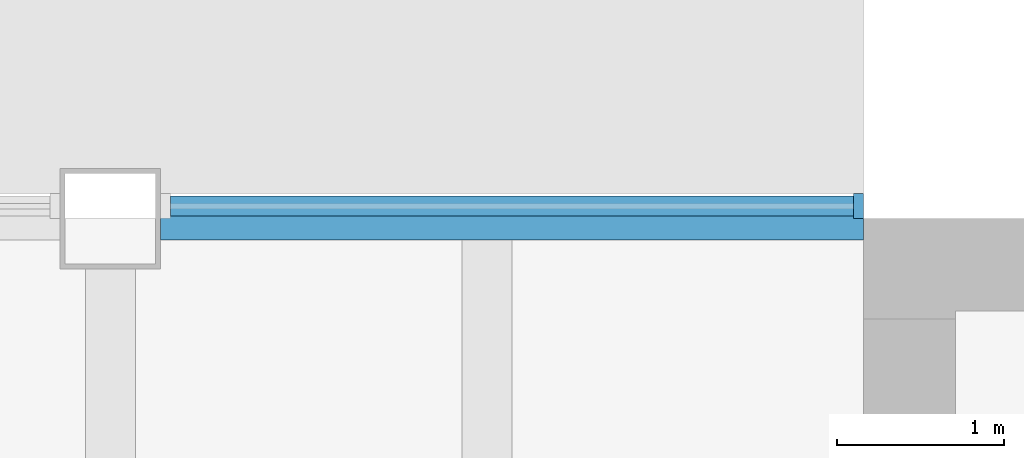
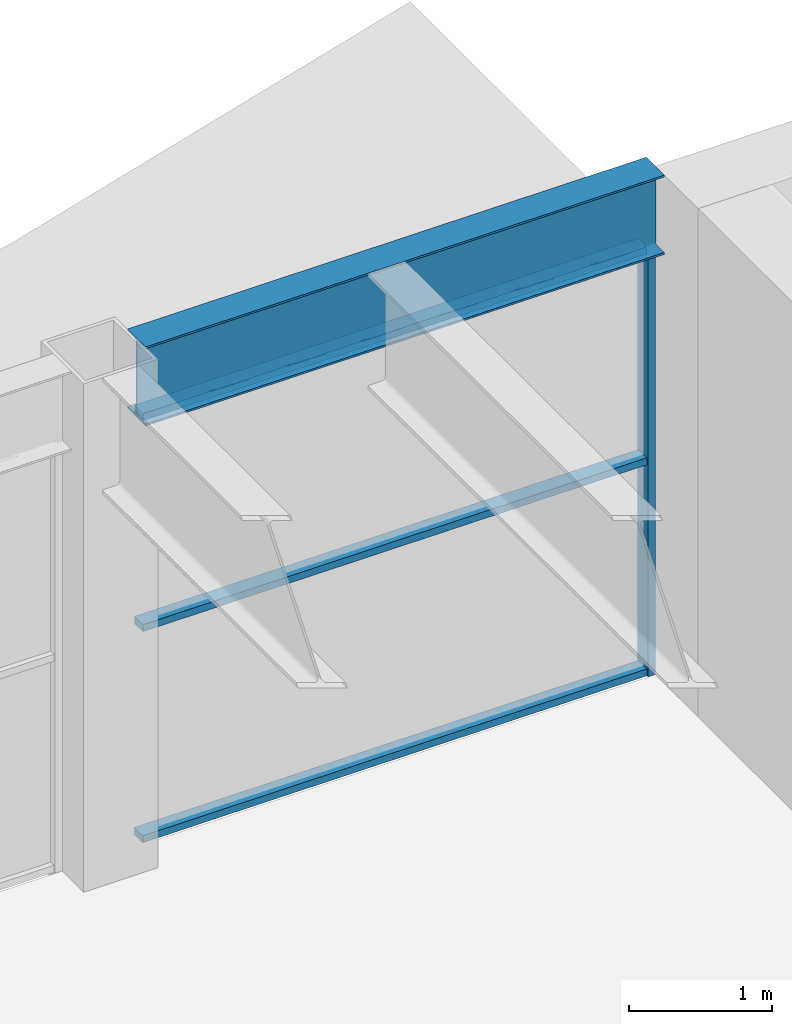
# One storey, part 6 of 14: 4 members, 1 beam, 1 element without a shape of its own.
"""IFC4 building model written with IfcOpenShell, lengths in metres."""

import ifcopenshell
import ifcopenshell.guid

model = None  # the IFC model being written
_history = None  # IfcOwnerHistory: only IFC2X3 demands one
_inside = {}  # id of a spatial element -> (the spatial element, [elements in it])
_under = {}  # id of a project, library or spatial element -> (it, [spatial elements below it])
_declared = {}  # id of a project -> (the project, [libraries it declares])
_typed = {}  # id of a type object -> (the type object, [elements of that type])
_made_of = {}  # id of a material, layer set ... -> (it, [elements and type objects made of it])


def new_model(schema):
    """Start an empty IFC model of exactly this schema.

    Asked for "IFC4X3", IfcOpenShell would pick the latest addendum, in which some entities
    have other attributes; the version numbers below select the first issue.
    IFC2X3 requires an IfcOwnerHistory on every rooted entity: one is made here for all.
    """
    global model, _history
    if schema == "IFC4X3":
        model = ifcopenshell.file(schema_version=(4, 3, 0, 0))
    else:
        model = ifcopenshell.file(schema=schema)
    _inside.clear()
    _under.clear()
    _declared.clear()
    _typed.clear()
    _made_of.clear()
    _history = None
    if model.schema == "IFC2X3":
        org = make("IfcOrganization", Name="unknown")
        user = make(
            "IfcPersonAndOrganization",
            ThePerson=make("IfcPerson", FamilyName="unknown"),
            TheOrganization=org,
        )
        app = make(
            "IfcApplication",
            ApplicationDeveloper=org,
            Version="unknown",
            ApplicationFullName="unknown",
            ApplicationIdentifier="unknown",
        )
        _history = make(
            "IfcOwnerHistory",
            OwningUser=user,
            OwningApplication=app,
            ChangeAction="ADDED",
            CreationDate=0,
        )
    return model


def make(cls, **values):
    """One entity of the class cls with the attributes given. An attribute that is None is left unset."""
    return model.create_entity(
        cls, **{name: value for name, value in values.items() if value is not None}
    )


def rooted(cls, **values):
    """An entity with a GlobalId (a new one), such as an element, a storey or a relation."""
    return make(cls, GlobalId=ifcopenshell.guid.new(), OwnerHistory=_history, **values)


def si_unit(unit_type, name, prefix=None):
    """IfcSIUnit, for example si_unit("LENGTHUNIT", "METRE", prefix="MILLI")."""
    return make("IfcSIUnit", UnitType=unit_type, Prefix=prefix, Name=name)


def assignment(units):
    """IfcUnitAssignment: the units of a project."""
    return None if units is None else make("IfcUnitAssignment", Units=units)


def point(xyz):
    """IfcCartesianPoint."""
    return None if xyz is None else make("IfcCartesianPoint", Coordinates=xyz)


def direction(xyz):
    """IfcDirection."""
    return None if xyz is None else make("IfcDirection", DirectionRatios=xyz)


def frame(location, z_axis=None, x_axis=None):
    """IfcAxis2Placement3D, a coordinate frame: its origin and axes. An axis left out is left unset."""
    return make(
        "IfcAxis2Placement3D",
        Location=point(location),
        Axis=direction(z_axis),
        RefDirection=direction(x_axis),
    )


def frame_2d(location, x_axis=None):
    """IfcAxis2Placement2D, a coordinate frame in the plane: its origin and x axis."""
    return make(
        "IfcAxis2Placement2D", Location=point(location), RefDirection=direction(x_axis)
    )


def origin():
    """The frame at (0, 0, 0) with its axes left unset."""
    return frame((0.0, 0.0, 0.0))


def origin_2d():
    """The frame at (0, 0) in the plane with its x axis left unset."""
    return frame_2d((0.0, 0.0))


def place(relative_to, where):
    """IfcLocalPlacement: puts the frame where relative to a parent placement (None: the world)."""
    return make(
        "IfcLocalPlacement", PlacementRelTo=relative_to, RelativePlacement=where
    )


def context(
    kind, dimensions, precision=None, world=None, true_north=None, identifier=None
):
    """IfcGeometricRepresentationContext, for example the 3D "Model" context."""
    return make(
        "IfcGeometricRepresentationContext",
        ContextIdentifier=identifier,
        ContextType=kind,
        CoordinateSpaceDimension=dimensions,
        Precision=precision,
        WorldCoordinateSystem=world,
        TrueNorth=true_north,
    )


def subcontext(parent, identifier, kind, view, scale=None):
    """IfcGeometricRepresentationSubContext, for example "Body" below "Model"."""
    return make(
        "IfcGeometricRepresentationSubContext",
        ContextIdentifier=identifier,
        ContextType=kind,
        ParentContext=parent,
        TargetScale=scale,
        TargetView=view,
    )


def project(units=None, contexts=None):
    """IfcProject with its units and contexts."""
    return rooted(
        "IfcProject",
        Name="project",
        RepresentationContexts=contexts,
        UnitsInContext=assignment(units),
    )


def spatial(cls, under=None, at=None, **own):
    """A site, building, storey or space (cls), placed at a placement, below another one or the project."""
    s = rooted(cls, ObjectPlacement=at, **own)
    if under is not None:
        _under.setdefault(under.id(), (under, []))[1].append(s)
    return s


def profile(cls, at=None, kind="AREA", **sizes):
    """A parametric profile (cls). Its sizes go by their IFC names, for example OverallWidth=200.0."""
    return make(cls, ProfileType=kind, Position=at, **sizes)


def rectangle(**sizes):
    """IfcRectangleProfileDef."""
    return profile("IfcRectangleProfileDef", **sizes)


def i_section(**sizes):
    """IfcIShapeProfileDef."""
    return profile("IfcIShapeProfileDef", **sizes)


def extrude(swept, where, along, depth):
    """IfcExtrudedAreaSolid: the profile swept, set in the frame where, extruded along a direction by depth."""
    return make(
        "IfcExtrudedAreaSolid",
        SweptArea=swept,
        Position=where,
        ExtrudedDirection=direction(along),
        Depth=depth,
    )


def shape(context_of_items, identifier, shape_type, items):
    """IfcShapeRepresentation: the items that make up one representation, for example the "Body"."""
    return make(
        "IfcShapeRepresentation",
        ContextOfItems=context_of_items,
        RepresentationIdentifier=identifier,
        RepresentationType=shape_type,
        Items=items,
    )


def material(Name=None, Category=None):
    """IfcMaterial."""
    return make("IfcMaterial", Name=Name, Category=Category)


def material_profile(
    of_material, cross_section, Name=None, Category=None, Priority=None
):
    """IfcMaterialProfile: a cross section and its material."""
    return make(
        "IfcMaterialProfile",
        Name=Name,
        Material=of_material,
        Profile=cross_section,
        Priority=Priority,
        Category=Category,
    )


def profile_set(profiles, Name=None, composite=None):
    """IfcMaterialProfileSet."""
    return make(
        "IfcMaterialProfileSet",
        Name=Name,
        MaterialProfiles=profiles,
        CompositeProfile=composite,
    )


def made_of(thing, what):
    """Note that an element or type object is made of a material, layer set ...; save() writes the relation."""
    if what is not None:
        _made_of.setdefault(what.id(), (what, []))[1].append(thing)
    return thing


def type_object(cls, material=None, **own):
    """A type object (cls), such as IfcWallType, which elements share."""
    return made_of(rooted(cls, **own), material)


def element(
    cls,
    number,
    at=None,
    inside=None,
    cuts=None,
    type_object=None,
    material=None,
    context=None,
    identifier="Body",
    shape_type=None,
    held_by="IfcProductDefinitionShape",
    body=None,
    shapes=None,
    **own,
):
    """One element of the class cls, such as IfcWall. Its Tag is "e" and its number.

    at: its placement. inside: the storey or other place that contains it. cuts: it is an
    opening in that element (IfcRelVoidsElement). A single representation is given by context,
    identifier, shape_type and body (its items); several are given by shapes. held_by: the class
    of the entity that holds the representations. save() writes the other relations.
    """
    e = rooted(cls, Tag="e%d" % number, ObjectPlacement=at, **own)
    if body is not None:
        shapes = [shape(context, identifier, shape_type, body)]
    if shapes is not None:
        e.Representation = make(held_by, Representations=shapes)
    if inside is not None:
        _inside.setdefault(inside.id(), (inside, []))[1].append(e)
    if cuts is not None:
        rooted(
            "IfcRelVoidsElement", RelatingBuildingElement=cuts, RelatedOpeningElement=e
        )
    if type_object is not None:
        _typed.setdefault(type_object.id(), (type_object, []))[1].append(e)
    return made_of(e, material)


def aggregate(whole, parts):
    """IfcRelAggregates: a whole, such as a stair, and the parts it consists of."""
    return rooted("IfcRelAggregates", RelatingObject=whole, RelatedObjects=parts)


def save(model, path):
    """Write the relations noted so far, then the file.

    IfcRelAggregates (storeys below a building ...), IfcRelContainedInSpatialStructure (elements
    in a storey), IfcRelDefinesByType, IfcRelAssociatesMaterial and IfcRelDeclares: one each for
    every whole, place, type object, material and project.
    """
    for whole, parts in _under.values():
        aggregate(whole, parts)
    for where, things in _inside.values():
        rooted(
            "IfcRelContainedInSpatialStructure",
            RelatedElements=things,
            RelatingStructure=where,
        )
    for kind, things in _typed.values():
        rooted("IfcRelDefinesByType", RelatedObjects=things, RelatingType=kind)
    for what, things in _made_of.values():
        rooted("IfcRelAssociatesMaterial", RelatedObjects=things, RelatingMaterial=what)
    for by, libraries in _declared.values():
        rooted("IfcRelDeclares", RelatingContext=by, RelatedDefinitions=libraries)
    model.write(path)


model = new_model("IFC4")

# Units and contexts
model_context = context("Model", 3, precision=1e-05, world=origin(), true_north=direction((0.0, 1.0)))
body_context = subcontext(model_context, "Body", "Model", "MODEL_VIEW")
ifc_project = project(units=[si_unit("LENGTHUNIT", "METRE"), si_unit("AREAUNIT", "SQUARE_METRE"), si_unit("VOLUMEUNIT", "CUBIC_METRE"), si_unit("PLANEANGLEUNIT", "RADIAN"), si_unit("MASSUNIT", "GRAM", prefix="KILO")], contexts=[model_context])

# Site, building, storey
site_placement = place(None, origin())
site = spatial("IfcSite", under=ifc_project, at=site_placement, CompositionType="ELEMENT")
building_placement = place(site_placement, origin())
building = spatial("IfcBuilding", under=site, at=building_placement, Name="Sennacour Bend Tower", CompositionType="ELEMENT")
storey_placement = place(building_placement, frame((0.0, 0.0, 314.0)))
storey = spatial("IfcBuildingStorey", under=building, at=storey_placement, Name="L72", CompositionType="ELEMENT", Elevation=314.0)

# Curtain wall, members
ifc_material_1 = material(Name="Bronze anodised aluminium curtain wall with clear glass", Category="aluminium")
curtain_wall_type = type_object("IfcCurtainWallType", Name="CURTAIN WALL EXEC", PredefinedType="NOTDEFINED", material=ifc_material_1)
curtain_wall_placement = place(storey_placement, origin())
curtain_wall = element("IfcCurtainWall", 1, at=curtain_wall_placement, inside=storey, type_object=curtain_wall_type, Name="Executive floor glass wall L72", PredefinedType="NOTDEFINED")
ifc_material_2 = material(Name="Aluminium 6063-T6", Category="aluminium")
ifc_material_profile_1 = material_profile(ifc_material_2, rectangle(XDim=0.14990234375, YDim=0.06005859375, at=origin_2d()), Name="Aluminium 6063-T6", Category="aluminium")
ifc_profile_set_1 = profile_set([ifc_material_profile_1], Name="Aluminium 6063-T6")
member_type_1 = type_object("IfcMemberType", Name="CW-MULLION-150X60", PredefinedType="MULLION", material=ifc_profile_set_1)
member_1_placement = place(storey_placement, frame((53.969970703125, 22.574951171875, 0.0), z_axis=(0.0, 0.0, 1.0), x_axis=(0.0, -1.0, 0.0)))
member_1 = element("IfcMember", 2, at=member_1_placement, type_object=member_type_1, Name="GW3 curtain wall mullion 1", PredefinedType="MULLION", context=body_context, shape_type="SweptSolid", body=[
    extrude(rectangle(XDim=0.14990234375, YDim=0.06005859375, at=origin_2d()), origin(), (0.0, 0.0, 1.0), 3.672119140625),
])
ifc_material_profile_2 = material_profile(ifc_material_2, rectangle(XDim=0.1201171875, YDim=0.06005859375, at=origin_2d()), Name="Aluminium 6063-T6", Category="aluminium")
ifc_profile_set_2 = profile_set([ifc_material_profile_2], Name="Aluminium 6063-T6")
member_type_2 = type_object("IfcMemberType", Name="CW-TRANSOM-120X60", PredefinedType="USERDEFINED", material=ifc_profile_set_2)
member_2_placement = place(storey_placement, frame((53.93994140625, 22.574951171875, 0.030029296875), z_axis=(-1.0, 0.0, 0.0), x_axis=(0.0, -1.0, 0.0)))
member_2 = element("IfcMember", 3, at=member_2_placement, type_object=member_type_2, Name="GW3 curtain wall transom 1.1", ObjectType="TRANSOM", PredefinedType="USERDEFINED", context=body_context, shape_type="SweptSolid", body=[
    extrude(rectangle(XDim=0.1201171875, YDim=0.06005859375, at=origin_2d()), origin(), (0.0, 0.0, 1.0), 4.079833984375),
])
member_3_placement = place(storey_placement, frame((53.93994140625, 22.574951171875, 1.8359375), z_axis=(-1.0, 0.0, 0.0), x_axis=(0.0, -1.0, 0.0)))
member_3 = element("IfcMember", 4, at=member_3_placement, type_object=member_type_2, Name="GW3 curtain wall transom 1.2", ObjectType="TRANSOM", PredefinedType="USERDEFINED", context=body_context, shape_type="SweptSolid", body=[
    extrude(rectangle(XDim=0.1201171875, YDim=0.06005859375, at=origin_2d()), origin(), (0.0, 0.0, 1.0), 4.079833984375),
])
member_4_placement = place(storey_placement, frame((53.93994140625, 22.574951171875, 3.64208984375), z_axis=(-1.0, 0.0, 0.0), x_axis=(0.0, -1.0, 0.0)))
member_4 = element("IfcMember", 5, at=member_4_placement, type_object=member_type_2, Name="GW3 curtain wall transom 1.3", ObjectType="TRANSOM", PredefinedType="USERDEFINED", context=body_context, shape_type="SweptSolid", body=[
    extrude(rectangle(XDim=0.1201171875, YDim=0.06005859375, at=origin_2d()), origin(), (0.0, 0.0, 1.0), 4.079833984375),
])
aggregate(curtain_wall, [member_1, member_2, member_3, member_4])

# Beam
ifc_material_3 = material(Name="Steel ASTM A992 Grade 50", Category="steel")
ifc_material_profile_3 = material_profile(ifc_material_3, i_section(OverallWidth=0.25390625, OverallDepth=0.677978515625, WebThickness=0.01171875, FlangeThickness=0.016357421875, FilletRadius=0.01513671875, at=origin_2d()), Name="Steel ASTM A992 Grade 50", Category="steel")
ifc_profile_set_3 = profile_set([ifc_material_profile_3], Name="Steel ASTM A992 Grade 50")
beam_type = type_object("IfcBeamType", Name="Spandrel beam W690X125", PredefinedType="SPANDREL", material=ifc_profile_set_3)
beam_placement = place(storey_placement, frame((49.800048828125, 22.5, 4.010986328125), z_axis=(1.0, 0.0, 0.0), x_axis=(0.0, 1.0, 0.0)))
element("IfcBeam", 6, at=beam_placement, inside=storey, type_object=beam_type, Name="Spandrel beam SP7 L73-017", PredefinedType="SPANDREL", context=body_context, shape_type="SweptSolid", body=[
    extrude(i_section(OverallWidth=0.25390625, OverallDepth=0.677978515625, WebThickness=0.01171875, FlangeThickness=0.016357421875, FilletRadius=0.01513671875, at=origin_2d()), origin(), (0.0, 0.0, 1.0), 4.199951171875),
])

save(model, "model.ifc")
